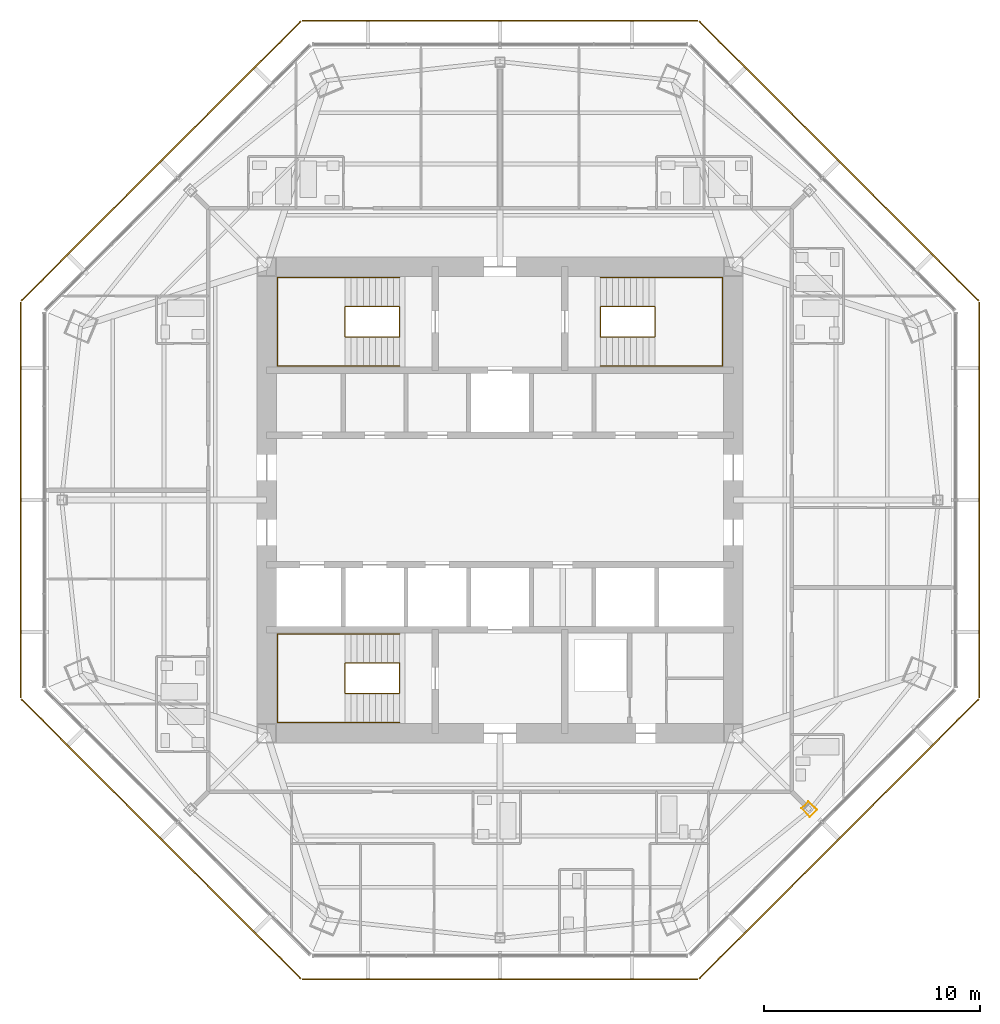
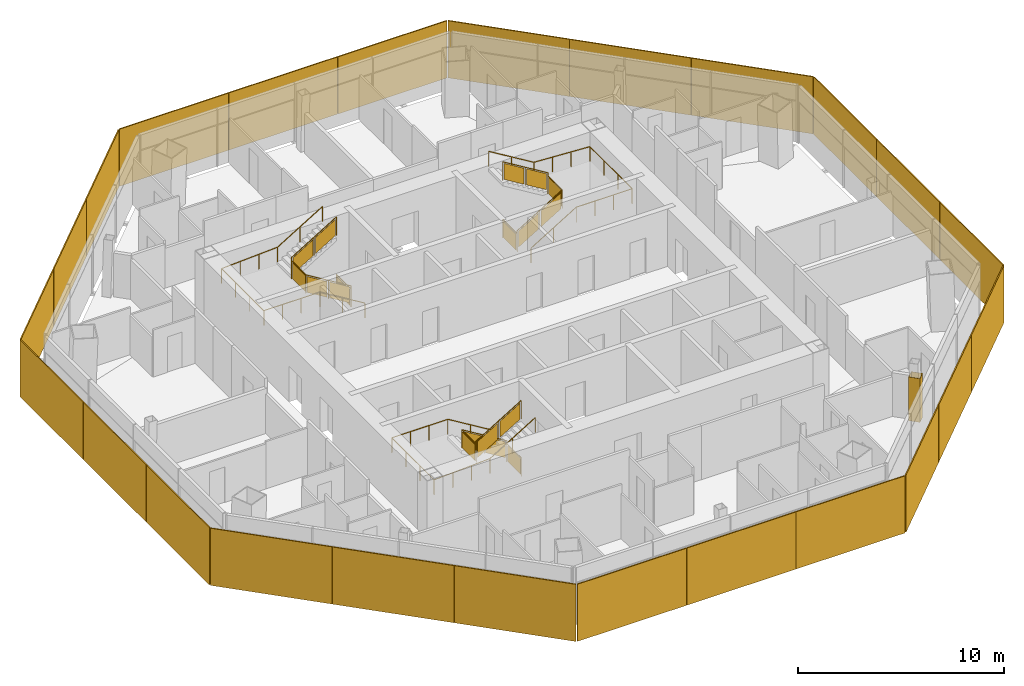
# One storey, part 13 of 14: 24 shading devices, 6 railings, 1 covering.
"""IFC4 building model written with IfcOpenShell, lengths in metres."""

from ifc_helpers import new_model, si_unit, direction, frame, origin, origin_2d, place, context, subcontext, project, spatial, polyline, rectangle, circle, outline, extrude, source, transform, mapped, material, layer, layer_set, type_object, type_shapes, element, save


model = new_model("IFC4")

# Units and contexts
model_context = context("Model", 3, precision=1e-05, world=origin(), true_north=direction((0.0, 1.0)))
body_context = subcontext(model_context, "Body", "Model", "MODEL_VIEW")
ifc_project = project(units=[si_unit("LENGTHUNIT", "METRE"), si_unit("AREAUNIT", "SQUARE_METRE"), si_unit("VOLUMEUNIT", "CUBIC_METRE"), si_unit("PLANEANGLEUNIT", "RADIAN"), si_unit("MASSUNIT", "GRAM", prefix="KILO")], contexts=[model_context])

# Site, building, storey
site_placement = place(None, origin())
site = spatial("IfcSite", under=ifc_project, at=site_placement, CompositionType="ELEMENT")
building_placement = place(site_placement, origin())
building = spatial("IfcBuilding", under=site, at=building_placement, Name="Mashrafa Tower", CompositionType="ELEMENT")
storey_placement = place(building_placement, frame((0.0, 0.0, 244.800048828125)))
storey = spatial("IfcBuildingStorey", under=building, at=storey_placement, Name="L58", CompositionType="ELEMENT", Elevation=244.800048828125)

# Covering
ifc_material_1 = material(Name="Gypsum board")
ifc_layer_1 = layer(ifc_material_1, 0.014892578125)
ifc_layer_set_1 = layer_set([ifc_layer_1], Name="Column casing plasterboard 15")
covering_type = type_object("IfcCoveringType", Name="Column casing plasterboard 15", PredefinedType="CLADDING", material=ifc_layer_set_1)
covering_placement = place(storey_placement, origin())
element("IfcCovering", 1, at=covering_placement, inside=storey, type_object=covering_type, Name="Column casing L58-001", PredefinedType="CLADDING", context=body_context, shape_type="SweptSolid", body=[
    extrude(outline(polyline([(13.939453125, -14.27880859375), (14.27880859375, -13.939453125), (14.686279296875, -14.346923828125), (14.346923828125, -14.686279296875), (13.939453125, -14.27880859375)]), holes=[polyline([(14.665283203125, -14.346923828125), (14.27880859375, -13.960693359375), (13.960693359375, -14.27880859375), (14.346923828125, -14.665283203125), (14.665283203125, -14.346923828125)])]), origin(), (0.0, 0.0, 1.0), 2.587890625),
])

# Railings
ifc_material_2 = material(Name="Steel guard with glass infill", Category="steel")
railing_type_1 = type_object("IfcRailingType", Name="Stair guard 1100", PredefinedType="GUARDRAIL", material=ifc_material_2)
railing_1_placement = place(storey_placement, frame((-4.64990234375, 8.949951171875, 0.0)))
element("IfcRailing", 2, at=railing_1_placement, inside=storey, type_object=railing_type_1, Name="Stair S1 guard L58", PredefinedType="GUARDRAIL", context=body_context, shape_type="SweptSolid", body=[
    extrude(circle(Radius=0.02392578125, at=origin_2d()), frame((0.0, 0.0, 1.076171875), z_axis=(0.0, -1.0, 0.0), x_axis=(1.0, 0.0, 0.0)), (0.0, 0.0, 1.0), 1.39990234375),
    extrude(circle(Radius=0.02392578125, at=origin_2d()), frame((0.0, -1.39990234375, 1.076171875), z_axis=(0.0, 0.0, 1.0), x_axis=(1.0, 0.0, 0.0)), (0.0, 0.0, 1.0), 0.169921875),
    extrude(circle(Radius=0.02392578125, at=origin_2d()), frame((0.0, -1.39990234375, 1.24609375), z_axis=(-0.85478489116, 0.0, 0.518982456201), x_axis=(0.0, -1.0, 0.0)), (0.0, 0.0, 1.0), 2.9482421875),
    extrude(circle(Radius=0.02392578125, at=origin_2d()), frame((-2.52001953125, -1.39990234375, 2.77587890625), z_axis=(0.0, 1.0, 0.0), x_axis=(-1.0, 0.0, 0.0)), (0.0, 0.0, 1.0), 1.39990234375),
    extrude(circle(Radius=0.02392578125, at=origin_2d()), frame((-2.52001953125, 0.0, 2.77587890625), z_axis=(0.0, 0.0, 1.0), x_axis=(1.0, 0.0, 0.0)), (0.0, 0.0, 1.0), 0.169921875),
    extrude(circle(Radius=0.02392578125, at=origin_2d()), frame((-2.52001953125, 0.0, 2.94580078125), z_axis=(0.85478489116, 0.0, 0.518982456201), x_axis=(0.0, 1.0, 0.0)), (0.0, 0.0, 1.0), 2.9482421875),
    extrude(circle(Radius=0.02099609375, at=origin_2d()), origin(), (0.0, 0.0, 1.0), 1.052001953125),
    extrude(circle(Radius=0.02099609375, at=origin_2d()), frame((0.0, -1.39990234375, 0.0)), (0.0, 0.0, 1.0), 1.052001953125),
    extrude(circle(Radius=0.02099609375, at=origin_2d()), frame((0.0, -1.39990234375, 0.169921875)), (0.0, 0.0, 1.0), 1.052001953125),
    extrude(circle(Radius=0.02099609375, at=origin_2d()), frame((-1.260009765625, -1.39990234375, 0.93505859375)), (0.0, 0.0, 1.0), 1.052001953125),
    extrude(circle(Radius=0.02099609375, at=origin_2d()), frame((-2.52001953125, -1.39990234375, 1.699951171875)), (0.0, 0.0, 1.0), 1.052001953125),
    extrude(circle(Radius=0.02099609375, at=origin_2d()), frame((-2.52001953125, 0.0, 1.699951171875)), (0.0, 0.0, 1.0), 1.052001953125),
    extrude(circle(Radius=0.02099609375, at=origin_2d()), frame((-2.52001953125, 0.0, 1.869873046875)), (0.0, 0.0, 1.0), 1.052001953125),
    extrude(circle(Radius=0.02099609375, at=origin_2d()), frame((-1.260009765625, 0.0, 2.634765625)), (0.0, 0.0, 1.0), 1.052001953125),
    extrude(circle(Radius=0.02099609375, at=origin_2d()), frame((0.0, 0.0, 3.39990234375)), (0.0, 0.0, 1.0), 1.052001953125),
    extrude(outline(polyline([(0.071044921875, 0.050048828125), (1.328857421875, 0.050048828125), (1.328857421875, 1.001953125), (0.071044921875, 1.001953125), (0.071044921875, 0.050048828125)])), frame((-0.006103515625, 0.0, 0.0), z_axis=(-1.0, 0.0, 0.0), x_axis=(0.0, -1.0, 0.0)), (0.0, 0.0, 1.0), 0.011962890625),
    extrude(outline(polyline([(0.071044921875, 0.093017578125), (1.18896484375, 0.77197265625), (1.18896484375, 1.723876953125), (0.071044921875, 1.045166015625), (0.071044921875, 0.093017578125)])), frame((0.0, -1.393798828125, 0.169921875), z_axis=(0.0, 1.0, 0.0), x_axis=(-1.0, 0.0, 0.0)), (0.0, 0.0, 1.0), 0.011962890625),
    extrude(outline(polyline([(1.3310546875, 0.858154296875), (2.448974609375, 1.536865234375), (2.448974609375, 2.489013671875), (1.3310546875, 1.81005859375), (1.3310546875, 0.858154296875)])), frame((0.0, -1.393798828125, 0.169921875), z_axis=(0.0, 1.0, 0.0), x_axis=(-1.0, 0.0, 0.0)), (0.0, 0.0, 1.0), 0.011962890625),
    extrude(outline(polyline([(0.071044921875, 0.050048828125), (1.328857421875, 0.050048828125), (1.328857421875, 1.001953125), (0.071044921875, 1.001953125), (0.071044921875, 0.050048828125)])), frame((-2.513916015625, -1.39990234375, 1.699951171875), z_axis=(1.0, 0.0, 0.0), x_axis=(0.0, 1.0, 0.0)), (0.0, 0.0, 1.0), 0.011962890625),
    extrude(outline(polyline([(0.071044921875, 0.093017578125), (1.18896484375, 0.77197265625), (1.18896484375, 1.723876953125), (0.071044921875, 1.045166015625), (0.071044921875, 0.093017578125)])), frame((-2.52001953125, -0.006103515625, 1.869873046875), z_axis=(0.0, -1.0, 0.0), x_axis=(1.0, 0.0, 0.0)), (0.0, 0.0, 1.0), 0.011962890625),
    extrude(outline(polyline([(1.3310546875, 0.858154296875), (2.448974609375, 1.536865234375), (2.448974609375, 2.489013671875), (1.3310546875, 1.81005859375), (1.3310546875, 0.858154296875)])), frame((-2.52001953125, -0.006103515625, 1.869873046875), z_axis=(0.0, -1.0, 0.0), x_axis=(1.0, 0.0, 0.0)), (0.0, 0.0, 1.0), 0.011962890625),
])
railing_2_placement = place(storey_placement, frame((4.64990234375, 8.949951171875, 0.0)))
element("IfcRailing", 3, at=railing_2_placement, inside=storey, type_object=railing_type_1, Name="Stair S2 guard L58", PredefinedType="GUARDRAIL", context=body_context, shape_type="SweptSolid", body=[
    extrude(circle(Radius=0.02392578125, at=origin_2d()), frame((0.0, 0.0, 1.076171875), z_axis=(0.0, -1.0, 0.0), x_axis=(1.0, 0.0, 0.0)), (0.0, 0.0, 1.0), 1.39990234375),
    extrude(circle(Radius=0.02392578125, at=origin_2d()), frame((0.0, -1.39990234375, 1.076171875), z_axis=(0.0, 0.0, 1.0), x_axis=(1.0, 0.0, 0.0)), (0.0, 0.0, 1.0), 0.169921875),
    extrude(circle(Radius=0.02392578125, at=origin_2d()), frame((0.0, -1.39990234375, 1.24609375), z_axis=(0.85478489116, 0.0, 0.518982456201), x_axis=(0.0, 1.0, 0.0)), (0.0, 0.0, 1.0), 2.9482421875),
    extrude(circle(Radius=0.02392578125, at=origin_2d()), frame((2.52001953125, -1.39990234375, 2.77587890625), z_axis=(0.0, 1.0, 0.0), x_axis=(-1.0, 0.0, 0.0)), (0.0, 0.0, 1.0), 1.39990234375),
    extrude(circle(Radius=0.02392578125, at=origin_2d()), frame((2.52001953125, 0.0, 2.77587890625), z_axis=(0.0, 0.0, 1.0), x_axis=(1.0, 0.0, 0.0)), (0.0, 0.0, 1.0), 0.169921875),
    extrude(circle(Radius=0.02392578125, at=origin_2d()), frame((2.52001953125, 0.0, 2.94580078125), z_axis=(-0.85478489116, 0.0, 0.518982456201), x_axis=(0.0, -1.0, 0.0)), (0.0, 0.0, 1.0), 2.9482421875),
    extrude(circle(Radius=0.02099609375, at=origin_2d()), origin(), (0.0, 0.0, 1.0), 1.052001953125),
    extrude(circle(Radius=0.02099609375, at=origin_2d()), frame((0.0, -1.39990234375, 0.0)), (0.0, 0.0, 1.0), 1.052001953125),
    extrude(circle(Radius=0.02099609375, at=origin_2d()), frame((0.0, -1.39990234375, 0.169921875)), (0.0, 0.0, 1.0), 1.052001953125),
    extrude(circle(Radius=0.02099609375, at=origin_2d()), frame((1.260009765625, -1.39990234375, 0.93505859375)), (0.0, 0.0, 1.0), 1.052001953125),
    extrude(circle(Radius=0.02099609375, at=origin_2d()), frame((2.52001953125, -1.39990234375, 1.699951171875)), (0.0, 0.0, 1.0), 1.052001953125),
    extrude(circle(Radius=0.02099609375, at=origin_2d()), frame((2.52001953125, 0.0, 1.699951171875)), (0.0, 0.0, 1.0), 1.052001953125),
    extrude(circle(Radius=0.02099609375, at=origin_2d()), frame((2.52001953125, 0.0, 1.869873046875)), (0.0, 0.0, 1.0), 1.052001953125),
    extrude(circle(Radius=0.02099609375, at=origin_2d()), frame((1.260009765625, 0.0, 2.634765625)), (0.0, 0.0, 1.0), 1.052001953125),
    extrude(circle(Radius=0.02099609375, at=origin_2d()), frame((0.0, 0.0, 3.39990234375)), (0.0, 0.0, 1.0), 1.052001953125),
    extrude(outline(polyline([(0.071044921875, 0.050048828125), (1.328857421875, 0.050048828125), (1.328857421875, 1.001953125), (0.071044921875, 1.001953125), (0.071044921875, 0.050048828125)])), frame((-0.006103515625, 0.0, 0.0), z_axis=(-1.0, 0.0, 0.0), x_axis=(0.0, -1.0, 0.0)), (0.0, 0.0, 1.0), 0.011962890625),
    extrude(outline(polyline([(0.071044921875, 0.093017578125), (1.18896484375, 0.77197265625), (1.18896484375, 1.723876953125), (0.071044921875, 1.045166015625), (0.071044921875, 0.093017578125)])), frame((0.0, -1.406005859375, 0.169921875), z_axis=(0.0, -1.0, 0.0), x_axis=(1.0, 0.0, 0.0)), (0.0, 0.0, 1.0), 0.011962890625),
    extrude(outline(polyline([(1.3310546875, 0.858154296875), (2.448974609375, 1.536865234375), (2.448974609375, 2.489013671875), (1.3310546875, 1.81005859375), (1.3310546875, 0.858154296875)])), frame((0.0, -1.406005859375, 0.169921875), z_axis=(0.0, -1.0, 0.0), x_axis=(1.0, 0.0, 0.0)), (0.0, 0.0, 1.0), 0.011962890625),
    extrude(outline(polyline([(0.071044921875, 0.050048828125), (1.328857421875, 0.050048828125), (1.328857421875, 1.001953125), (0.071044921875, 1.001953125), (0.071044921875, 0.050048828125)])), frame((2.526123046875, -1.39990234375, 1.699951171875), z_axis=(1.0, 0.0, 0.0), x_axis=(0.0, 1.0, 0.0)), (0.0, 0.0, 1.0), 0.011962890625),
    extrude(outline(polyline([(0.071044921875, 0.093017578125), (1.18896484375, 0.77197265625), (1.18896484375, 1.723876953125), (0.071044921875, 1.045166015625), (0.071044921875, 0.093017578125)])), frame((2.52001953125, 0.006103515625, 1.869873046875), z_axis=(0.0, 1.0, 0.0), x_axis=(-1.0, 0.0, 0.0)), (0.0, 0.0, 1.0), 0.011962890625),
    extrude(outline(polyline([(1.3310546875, 0.858154296875), (2.448974609375, 1.536865234375), (2.448974609375, 2.489013671875), (1.3310546875, 1.81005859375), (1.3310546875, 0.858154296875)])), frame((2.52001953125, 0.006103515625, 1.869873046875), z_axis=(0.0, 1.0, 0.0), x_axis=(-1.0, 0.0, 0.0)), (0.0, 0.0, 1.0), 0.011962890625),
])
railing_3_placement = place(storey_placement, frame((-4.64990234375, -8.949951171875, 0.0)))
element("IfcRailing", 4, at=railing_3_placement, inside=storey, type_object=railing_type_1, Name="Stair S3 guard L58", PredefinedType="GUARDRAIL", context=body_context, shape_type="SweptSolid", body=[
    extrude(circle(Radius=0.02392578125, at=origin_2d()), frame((0.0, 0.0, 1.076171875), z_axis=(0.0, 1.0, 0.0), x_axis=(-1.0, 0.0, 0.0)), (0.0, 0.0, 1.0), 1.39990234375),
    extrude(circle(Radius=0.02392578125, at=origin_2d()), frame((0.0, 1.39990234375, 1.076171875), z_axis=(0.0, 0.0, 1.0), x_axis=(1.0, 0.0, 0.0)), (0.0, 0.0, 1.0), 0.169921875),
    extrude(circle(Radius=0.02392578125, at=origin_2d()), frame((0.0, 1.39990234375, 1.24609375), z_axis=(-0.85478489116, 0.0, 0.518982456201), x_axis=(0.0, -1.0, 0.0)), (0.0, 0.0, 1.0), 2.9482421875),
    extrude(circle(Radius=0.02392578125, at=origin_2d()), frame((-2.52001953125, 1.39990234375, 2.77587890625), z_axis=(0.0, -1.0, 0.0), x_axis=(1.0, 0.0, 0.0)), (0.0, 0.0, 1.0), 1.39990234375),
    extrude(circle(Radius=0.02392578125, at=origin_2d()), frame((-2.52001953125, 0.0, 2.77587890625), z_axis=(0.0, 0.0, 1.0), x_axis=(1.0, 0.0, 0.0)), (0.0, 0.0, 1.0), 0.169921875),
    extrude(circle(Radius=0.02392578125, at=origin_2d()), frame((-2.52001953125, 0.0, 2.94580078125), z_axis=(0.85478489116, 0.0, 0.518982456201), x_axis=(0.0, 1.0, 0.0)), (0.0, 0.0, 1.0), 2.9482421875),
    extrude(circle(Radius=0.02099609375, at=origin_2d()), origin(), (0.0, 0.0, 1.0), 1.052001953125),
    extrude(circle(Radius=0.02099609375, at=origin_2d()), frame((0.0, 1.39990234375, 0.0)), (0.0, 0.0, 1.0), 1.052001953125),
    extrude(circle(Radius=0.02099609375, at=origin_2d()), frame((0.0, 1.39990234375, 0.169921875)), (0.0, 0.0, 1.0), 1.052001953125),
    extrude(circle(Radius=0.02099609375, at=origin_2d()), frame((-1.260009765625, 1.39990234375, 0.93505859375)), (0.0, 0.0, 1.0), 1.052001953125),
    extrude(circle(Radius=0.02099609375, at=origin_2d()), frame((-2.52001953125, 1.39990234375, 1.699951171875)), (0.0, 0.0, 1.0), 1.052001953125),
    extrude(circle(Radius=0.02099609375, at=origin_2d()), frame((-2.52001953125, 0.0, 1.699951171875)), (0.0, 0.0, 1.0), 1.052001953125),
    extrude(circle(Radius=0.02099609375, at=origin_2d()), frame((-2.52001953125, 0.0, 1.869873046875)), (0.0, 0.0, 1.0), 1.052001953125),
    extrude(circle(Radius=0.02099609375, at=origin_2d()), frame((-1.260009765625, 0.0, 2.634765625)), (0.0, 0.0, 1.0), 1.052001953125),
    extrude(circle(Radius=0.02099609375, at=origin_2d()), frame((0.0, 0.0, 3.39990234375)), (0.0, 0.0, 1.0), 1.052001953125),
    extrude(outline(polyline([(0.071044921875, 0.050048828125), (1.328857421875, 0.050048828125), (1.328857421875, 1.001953125), (0.071044921875, 1.001953125), (0.071044921875, 0.050048828125)])), frame((0.006103515625, 0.0, 0.0), z_axis=(1.0, 0.0, 0.0), x_axis=(0.0, 1.0, 0.0)), (0.0, 0.0, 1.0), 0.011962890625),
    extrude(outline(polyline([(0.071044921875, 0.093017578125), (1.18896484375, 0.77197265625), (1.18896484375, 1.723876953125), (0.071044921875, 1.045166015625), (0.071044921875, 0.093017578125)])), frame((0.0, 1.406005859375, 0.169921875), z_axis=(0.0, 1.0, 0.0), x_axis=(-1.0, 0.0, 0.0)), (0.0, 0.0, 1.0), 0.011962890625),
    extrude(outline(polyline([(1.3310546875, 0.858154296875), (2.448974609375, 1.536865234375), (2.448974609375, 2.489013671875), (1.3310546875, 1.81005859375), (1.3310546875, 0.858154296875)])), frame((0.0, 1.406005859375, 0.169921875), z_axis=(0.0, 1.0, 0.0), x_axis=(-1.0, 0.0, 0.0)), (0.0, 0.0, 1.0), 0.011962890625),
    extrude(outline(polyline([(0.071044921875, 0.050048828125), (1.328857421875, 0.050048828125), (1.328857421875, 1.001953125), (0.071044921875, 1.001953125), (0.071044921875, 0.050048828125)])), frame((-2.526123046875, 1.39990234375, 1.699951171875), z_axis=(-1.0, 0.0, 0.0), x_axis=(0.0, -1.0, 0.0)), (0.0, 0.0, 1.0), 0.011962890625),
    extrude(outline(polyline([(0.071044921875, 0.093017578125), (1.18896484375, 0.77197265625), (1.18896484375, 1.723876953125), (0.071044921875, 1.045166015625), (0.071044921875, 0.093017578125)])), frame((-2.52001953125, -0.006103515625, 1.869873046875), z_axis=(0.0, -1.0, 0.0), x_axis=(1.0, 0.0, 0.0)), (0.0, 0.0, 1.0), 0.011962890625),
    extrude(outline(polyline([(1.3310546875, 0.858154296875), (2.448974609375, 1.536865234375), (2.448974609375, 2.489013671875), (1.3310546875, 1.81005859375), (1.3310546875, 0.858154296875)])), frame((-2.52001953125, -0.006103515625, 1.869873046875), z_axis=(0.0, -1.0, 0.0), x_axis=(1.0, 0.0, 0.0)), (0.0, 0.0, 1.0), 0.011962890625),
])
ifc_material_3 = material(Name="Steel", Category="steel")
railing_type_2 = type_object("IfcRailingType", Name="Stair handrail 900", PredefinedType="HANDRAIL", material=ifc_material_3)
railing_4_placement = place(storey_placement, frame((-4.64990234375, 6.199951171875, 0.169921875)))
element("IfcRailing", 5, at=railing_4_placement, inside=storey, type_object=railing_type_2, Name="Stair S1 handrail L58", PredefinedType="HANDRAIL", context=body_context, shape_type="SweptSolid", body=[
    extrude(circle(Radius=0.02392578125, at=origin_2d()), frame((0.0, 0.0, 0.8759765625), z_axis=(-0.85478489116, 0.0, 0.518982456201), x_axis=(0.0, -1.0, 0.0)), (0.0, 0.0, 1.0), 2.9482421875),
    extrude(circle(Radius=0.02392578125, at=origin_2d()), frame((-2.52001953125, 0.0, 2.40576171875), z_axis=(-1.0, 0.0, 0.0), x_axis=(0.0, -1.0, 0.0)), (0.0, 0.0, 1.0), 3.130126953125),
    extrude(circle(Radius=0.02392578125, at=origin_2d()), frame((-5.650146484375, 0.0, 2.40576171875), z_axis=(0.0, 1.0, 0.0), x_axis=(-1.0, 0.0, 0.0)), (0.0, 0.0, 1.0), 4.10009765625),
    extrude(circle(Radius=0.02392578125, at=origin_2d()), frame((-5.650146484375, 4.10009765625, 2.40576171875), z_axis=(0.998529767259, 0.0, 0.054206124172), x_axis=(0.0, 1.0, 0.0)), (0.0, 0.0, 1.0), 3.134765625),
    extrude(circle(Radius=0.02392578125, at=origin_2d()), frame((-2.52001953125, 4.10009765625, 2.57568359375), z_axis=(0.85478489116, 0.0, 0.518982456201), x_axis=(0.0, 1.0, 0.0)), (0.0, 0.0, 1.0), 2.9482421875),
    extrude(circle(Radius=0.02099609375, at=origin_2d()), origin(), (0.0, 0.0, 1.0), 0.851806640625),
    extrude(circle(Radius=0.02099609375, at=origin_2d()), frame((-1.260009765625, 0.0, 0.76513671875)), (0.0, 0.0, 1.0), 0.851806640625),
    extrude(circle(Radius=0.02099609375, at=origin_2d()), frame((-2.52001953125, 0.0, 1.530029296875)), (0.0, 0.0, 1.0), 0.851806640625),
    extrude(circle(Radius=0.02099609375, at=origin_2d()), frame((-3.5634765625, 0.0, 1.530029296875)), (0.0, 0.0, 1.0), 0.851806640625),
    extrude(circle(Radius=0.02099609375, at=origin_2d()), frame((-4.606689453125, 0.0, 1.530029296875)), (0.0, 0.0, 1.0), 0.851806640625),
    extrude(circle(Radius=0.02099609375, at=origin_2d()), frame((-5.650146484375, 0.0, 1.530029296875)), (0.0, 0.0, 1.0), 0.851806640625),
    extrude(circle(Radius=0.02099609375, at=origin_2d()), frame((-5.650146484375, 1.36669921875, 1.530029296875)), (0.0, 0.0, 1.0), 0.851806640625),
    extrude(circle(Radius=0.02099609375, at=origin_2d()), frame((-5.650146484375, 2.7333984375, 1.530029296875)), (0.0, 0.0, 1.0), 0.851806640625),
    extrude(circle(Radius=0.02099609375, at=origin_2d()), frame((-5.650146484375, 4.10009765625, 1.530029296875)), (0.0, 0.0, 1.0), 0.851806640625),
    extrude(circle(Radius=0.02099609375, at=origin_2d()), frame((-4.606689453125, 4.10009765625, 1.586669921875)), (0.0, 0.0, 1.0), 0.851806640625),
    extrude(circle(Radius=0.02099609375, at=origin_2d()), frame((-3.5634765625, 4.10009765625, 1.643310546875)), (0.0, 0.0, 1.0), 0.851806640625),
    extrude(circle(Radius=0.02099609375, at=origin_2d()), frame((-2.52001953125, 4.10009765625, 1.699951171875)), (0.0, 0.0, 1.0), 0.851806640625),
    extrude(circle(Radius=0.02099609375, at=origin_2d()), frame((-1.260009765625, 4.10009765625, 2.46484375)), (0.0, 0.0, 1.0), 0.851806640625),
    extrude(circle(Radius=0.02099609375, at=origin_2d()), frame((0.0, 4.10009765625, 3.22998046875)), (0.0, 0.0, 1.0), 0.851806640625),
])
railing_5_placement = place(storey_placement, frame((4.64990234375, 6.199951171875, 0.169921875)))
element("IfcRailing", 6, at=railing_5_placement, inside=storey, type_object=railing_type_2, Name="Stair S2 handrail L58", PredefinedType="HANDRAIL", context=body_context, shape_type="SweptSolid", body=[
    extrude(circle(Radius=0.02392578125, at=origin_2d()), frame((0.0, 0.0, 0.8759765625), z_axis=(0.85478489116, 0.0, 0.518982456201), x_axis=(0.0, 1.0, 0.0)), (0.0, 0.0, 1.0), 2.9482421875),
    extrude(circle(Radius=0.02392578125, at=origin_2d()), frame((2.52001953125, 0.0, 2.40576171875), z_axis=(1.0, 0.0, 0.0), x_axis=(0.0, 1.0, 0.0)), (0.0, 0.0, 1.0), 3.130126953125),
    extrude(circle(Radius=0.02392578125, at=origin_2d()), frame((5.650146484375, 0.0, 2.40576171875), z_axis=(0.0, 1.0, 0.0), x_axis=(-1.0, 0.0, 0.0)), (0.0, 0.0, 1.0), 4.10009765625),
    extrude(circle(Radius=0.02392578125, at=origin_2d()), frame((5.650146484375, 4.10009765625, 2.40576171875), z_axis=(-0.998529767259, 0.0, 0.054206124172), x_axis=(0.0, -1.0, 0.0)), (0.0, 0.0, 1.0), 3.134765625),
    extrude(circle(Radius=0.02392578125, at=origin_2d()), frame((2.52001953125, 4.10009765625, 2.57568359375), z_axis=(-0.85478489116, 0.0, 0.518982456201), x_axis=(0.0, -1.0, 0.0)), (0.0, 0.0, 1.0), 2.9482421875),
    extrude(circle(Radius=0.02099609375, at=origin_2d()), origin(), (0.0, 0.0, 1.0), 0.851806640625),
    extrude(circle(Radius=0.02099609375, at=origin_2d()), frame((1.260009765625, 0.0, 0.76513671875)), (0.0, 0.0, 1.0), 0.851806640625),
    extrude(circle(Radius=0.02099609375, at=origin_2d()), frame((2.52001953125, 0.0, 1.530029296875)), (0.0, 0.0, 1.0), 0.851806640625),
    extrude(circle(Radius=0.02099609375, at=origin_2d()), frame((3.5634765625, 0.0, 1.530029296875)), (0.0, 0.0, 1.0), 0.851806640625),
    extrude(circle(Radius=0.02099609375, at=origin_2d()), frame((4.606689453125, 0.0, 1.530029296875)), (0.0, 0.0, 1.0), 0.851806640625),
    extrude(circle(Radius=0.02099609375, at=origin_2d()), frame((5.650146484375, 0.0, 1.530029296875)), (0.0, 0.0, 1.0), 0.851806640625),
    extrude(circle(Radius=0.02099609375, at=origin_2d()), frame((5.650146484375, 1.36669921875, 1.530029296875)), (0.0, 0.0, 1.0), 0.851806640625),
    extrude(circle(Radius=0.02099609375, at=origin_2d()), frame((5.650146484375, 2.7333984375, 1.530029296875)), (0.0, 0.0, 1.0), 0.851806640625),
    extrude(circle(Radius=0.02099609375, at=origin_2d()), frame((5.650146484375, 4.10009765625, 1.530029296875)), (0.0, 0.0, 1.0), 0.851806640625),
    extrude(circle(Radius=0.02099609375, at=origin_2d()), frame((4.606689453125, 4.10009765625, 1.586669921875)), (0.0, 0.0, 1.0), 0.851806640625),
    extrude(circle(Radius=0.02099609375, at=origin_2d()), frame((3.5634765625, 4.10009765625, 1.643310546875)), (0.0, 0.0, 1.0), 0.851806640625),
    extrude(circle(Radius=0.02099609375, at=origin_2d()), frame((2.52001953125, 4.10009765625, 1.699951171875)), (0.0, 0.0, 1.0), 0.851806640625),
    extrude(circle(Radius=0.02099609375, at=origin_2d()), frame((1.260009765625, 4.10009765625, 2.46484375)), (0.0, 0.0, 1.0), 0.851806640625),
    extrude(circle(Radius=0.02099609375, at=origin_2d()), frame((0.0, 4.10009765625, 3.22998046875)), (0.0, 0.0, 1.0), 0.851806640625),
])
railing_6_placement = place(storey_placement, frame((-4.64990234375, -6.199951171875, 0.169921875)))
element("IfcRailing", 7, at=railing_6_placement, inside=storey, type_object=railing_type_2, Name="Stair S3 handrail L58", PredefinedType="HANDRAIL", context=body_context, shape_type="SweptSolid", body=[
    extrude(circle(Radius=0.02392578125, at=origin_2d()), frame((0.0, 0.0, 0.8759765625), z_axis=(-0.85478489116, 0.0, 0.518982456201), x_axis=(0.0, -1.0, 0.0)), (0.0, 0.0, 1.0), 2.9482421875),
    extrude(circle(Radius=0.02392578125, at=origin_2d()), frame((-2.52001953125, 0.0, 2.40576171875), z_axis=(-1.0, 0.0, 0.0), x_axis=(0.0, -1.0, 0.0)), (0.0, 0.0, 1.0), 3.130126953125),
    extrude(circle(Radius=0.02392578125, at=origin_2d()), frame((-5.650146484375, 0.0, 2.40576171875), z_axis=(0.0, -1.0, 0.0), x_axis=(1.0, 0.0, 0.0)), (0.0, 0.0, 1.0), 4.10009765625),
    extrude(circle(Radius=0.02392578125, at=origin_2d()), frame((-5.650146484375, -4.10009765625, 2.40576171875), z_axis=(0.998529767259, 0.0, 0.054206124172), x_axis=(0.0, 1.0, 0.0)), (0.0, 0.0, 1.0), 3.134765625),
    extrude(circle(Radius=0.02392578125, at=origin_2d()), frame((-2.52001953125, -4.10009765625, 2.57568359375), z_axis=(0.85478489116, 0.0, 0.518982456201), x_axis=(0.0, 1.0, 0.0)), (0.0, 0.0, 1.0), 2.9482421875),
    extrude(circle(Radius=0.02099609375, at=origin_2d()), origin(), (0.0, 0.0, 1.0), 0.851806640625),
    extrude(circle(Radius=0.02099609375, at=origin_2d()), frame((-1.260009765625, 0.0, 0.76513671875)), (0.0, 0.0, 1.0), 0.851806640625),
    extrude(circle(Radius=0.02099609375, at=origin_2d()), frame((-2.52001953125, 0.0, 1.530029296875)), (0.0, 0.0, 1.0), 0.851806640625),
    extrude(circle(Radius=0.02099609375, at=origin_2d()), frame((-3.5634765625, 0.0, 1.530029296875)), (0.0, 0.0, 1.0), 0.851806640625),
    extrude(circle(Radius=0.02099609375, at=origin_2d()), frame((-4.606689453125, 0.0, 1.530029296875)), (0.0, 0.0, 1.0), 0.851806640625),
    extrude(circle(Radius=0.02099609375, at=origin_2d()), frame((-5.650146484375, 0.0, 1.530029296875)), (0.0, 0.0, 1.0), 0.851806640625),
    extrude(circle(Radius=0.02099609375, at=origin_2d()), frame((-5.650146484375, -1.36669921875, 1.530029296875)), (0.0, 0.0, 1.0), 0.851806640625),
    extrude(circle(Radius=0.02099609375, at=origin_2d()), frame((-5.650146484375, -2.7333984375, 1.530029296875)), (0.0, 0.0, 1.0), 0.851806640625),
    extrude(circle(Radius=0.02099609375, at=origin_2d()), frame((-5.650146484375, -4.10009765625, 1.530029296875)), (0.0, 0.0, 1.0), 0.851806640625),
    extrude(circle(Radius=0.02099609375, at=origin_2d()), frame((-4.606689453125, -4.10009765625, 1.586669921875)), (0.0, 0.0, 1.0), 0.851806640625),
    extrude(circle(Radius=0.02099609375, at=origin_2d()), frame((-3.5634765625, -4.10009765625, 1.643310546875)), (0.0, 0.0, 1.0), 0.851806640625),
    extrude(circle(Radius=0.02099609375, at=origin_2d()), frame((-2.52001953125, -4.10009765625, 1.699951171875)), (0.0, 0.0, 1.0), 0.851806640625),
    extrude(circle(Radius=0.02099609375, at=origin_2d()), frame((-1.260009765625, -4.10009765625, 2.46484375)), (0.0, 0.0, 1.0), 0.851806640625),
    extrude(circle(Radius=0.02099609375, at=origin_2d()), frame((0.0, -4.10009765625, 3.22998046875)), (0.0, 0.0, 1.0), 0.851806640625),
])

# Shading devices
ifc_material_4 = material(Name="Perforated aluminium plate, eight-point star pattern", Category="aluminium")
ifc_layer_2 = layer(ifc_material_4, 0.06005859375)
ifc_layer_set_2 = layer_set([ifc_layer_2], Name="Mashrabiya screen panel apartment zone 3, 28 percent open")
shading_device_type = type_object("IfcShadingDeviceType", Name="Mashrabiya screen panel apartment zone 3, 28 percent open", PredefinedType="SHUTTER", material=ifc_layer_set_2)
shared_shape = source(origin(), body_context, "Body", "SweptSolid", [
    extrude(rectangle(XDim=6.092529296875, YDim=0.06005859375, at=origin_2d()), origin(), (0.0, 0.0, 1.0), 3.3798828125),
])
type_shapes(shading_device_type, [shared_shape])
for number, where, z_axis, x_axis, name in (
    (8, (22.189697265625, -6.112548828125, -0.14990234375), (0.0, 0.0, 1.0), (0.0, 1.0, 0.0), "Mashrabiya screen L58 east 1"),
    (9, (22.189697265625, 0.0, -0.14990234375), (0.0, 0.0, 1.0), (0.0, 1.0, 0.0), "Mashrabiya screen L58 east 2"),
    (10, (22.189697265625, 6.112548828125, -0.14990234375), (0.0, 0.0, 1.0), (0.0, 1.0, 0.0), "Mashrabiya screen L58 east 3"),
    (11, (20.0126953125, 11.3681640625, -0.14990234375), (0.0, 0.0, 1.0), (-0.707106781187, 0.707106781187, 0.0), "Mashrabiya screen L58 north-east 1"),
    (12, (15.6904296875, 15.6904296875, -0.14990234375), (0.0, 0.0, 1.0), (-0.707106781187, 0.707106781187, 0.0), "Mashrabiya screen L58 north-east 2"),
    (13, (11.3681640625, 20.0126953125, -0.14990234375), (0.0, 0.0, 1.0), (-0.707106781187, 0.707106781187, 0.0), "Mashrabiya screen L58 north-east 3"),
    (14, (6.112548828125, 22.189697265625, -0.14990234375), (0.0, 0.0, 1.0), (-1.0, 0.0, 0.0), "Mashrabiya screen L58 north 1"),
    (15, (0.0, 22.189697265625, -0.14990234375), (0.0, 0.0, 1.0), (-1.0, 0.0, 0.0), "Mashrabiya screen L58 north 2"),
    (16, (-6.112548828125, 22.189697265625, -0.14990234375), (0.0, 0.0, 1.0), (-1.0, 0.0, 0.0), "Mashrabiya screen L58 north 3"),
    (17, (-11.3681640625, 20.0126953125, -0.14990234375), (0.0, 0.0, 1.0), (-0.707106781187, -0.707106781187, 0.0), "Mashrabiya screen L58 north-west 1"),
    (18, (-15.6904296875, 15.6904296875, -0.14990234375), (0.0, 0.0, 1.0), (-0.707106781187, -0.707106781187, 0.0), "Mashrabiya screen L58 north-west 2"),
    (19, (-20.0126953125, 11.3681640625, -0.14990234375), (0.0, 0.0, 1.0), (-0.707106781187, -0.707106781187, 0.0), "Mashrabiya screen L58 north-west 3"),
    (20, (-22.189697265625, 6.112548828125, -0.14990234375), (0.0, 0.0, 1.0), (0.0, -1.0, 0.0), "Mashrabiya screen L58 west 1"),
    (21, (-22.189697265625, 0.0, -0.14990234375), (0.0, 0.0, 1.0), (0.0, -1.0, 0.0), "Mashrabiya screen L58 west 2"),
    (22, (-22.189697265625, -6.112548828125, -0.14990234375), (0.0, 0.0, 1.0), (0.0, -1.0, 0.0), "Mashrabiya screen L58 west 3"),
    (23, (-20.0126953125, -11.3681640625, -0.14990234375), (0.0, 0.0, 1.0), (0.707106781187, -0.707106781187, 0.0), "Mashrabiya screen L58 south-west 1"),
    (24, (-15.6904296875, -15.6904296875, -0.14990234375), (0.0, 0.0, 1.0), (0.707106781187, -0.707106781187, 0.0), "Mashrabiya screen L58 south-west 2"),
    (25, (-11.3681640625, -20.0126953125, -0.14990234375), (0.0, 0.0, 1.0), (0.707106781187, -0.707106781187, 0.0), "Mashrabiya screen L58 south-west 3"),
    (26, (-6.112548828125, -22.189697265625, -0.14990234375), (0.0, 0.0, 1.0), (1.0, 0.0, 0.0), "Mashrabiya screen L58 south 1"),
    (27, (0.0, -22.189697265625, -0.14990234375), (0.0, 0.0, 1.0), (1.0, 0.0, 0.0), "Mashrabiya screen L58 south 2"),
    (28, (6.112548828125, -22.189697265625, -0.14990234375), (0.0, 0.0, 1.0), (1.0, 0.0, 0.0), "Mashrabiya screen L58 south 3"),
    (29, (11.3681640625, -20.0126953125, -0.14990234375), (0.0, 0.0, 1.0), (0.707106781187, 0.707106781187, 0.0), "Mashrabiya screen L58 south-east 1"),
    (30, (15.6904296875, -15.6904296875, -0.14990234375), (0.0, 0.0, 1.0), (0.707106781187, 0.707106781187, 0.0), "Mashrabiya screen L58 south-east 2"),
    (31, (20.0126953125, -11.3681640625, -0.14990234375), (0.0, 0.0, 1.0), (0.707106781187, 0.707106781187, 0.0), "Mashrabiya screen L58 south-east 3"),
):
    element("IfcShadingDevice", number, at=place(storey_placement, frame(where, z_axis=z_axis, x_axis=x_axis)), inside=storey, type_object=shading_device_type, Name=name, PredefinedType="SHUTTER", context=body_context, shape_type="MappedRepresentation", body=[
        mapped(shared_shape, transform((0.0, 0.0, 0.0))),
    ])

save(model, "model.ifc")
